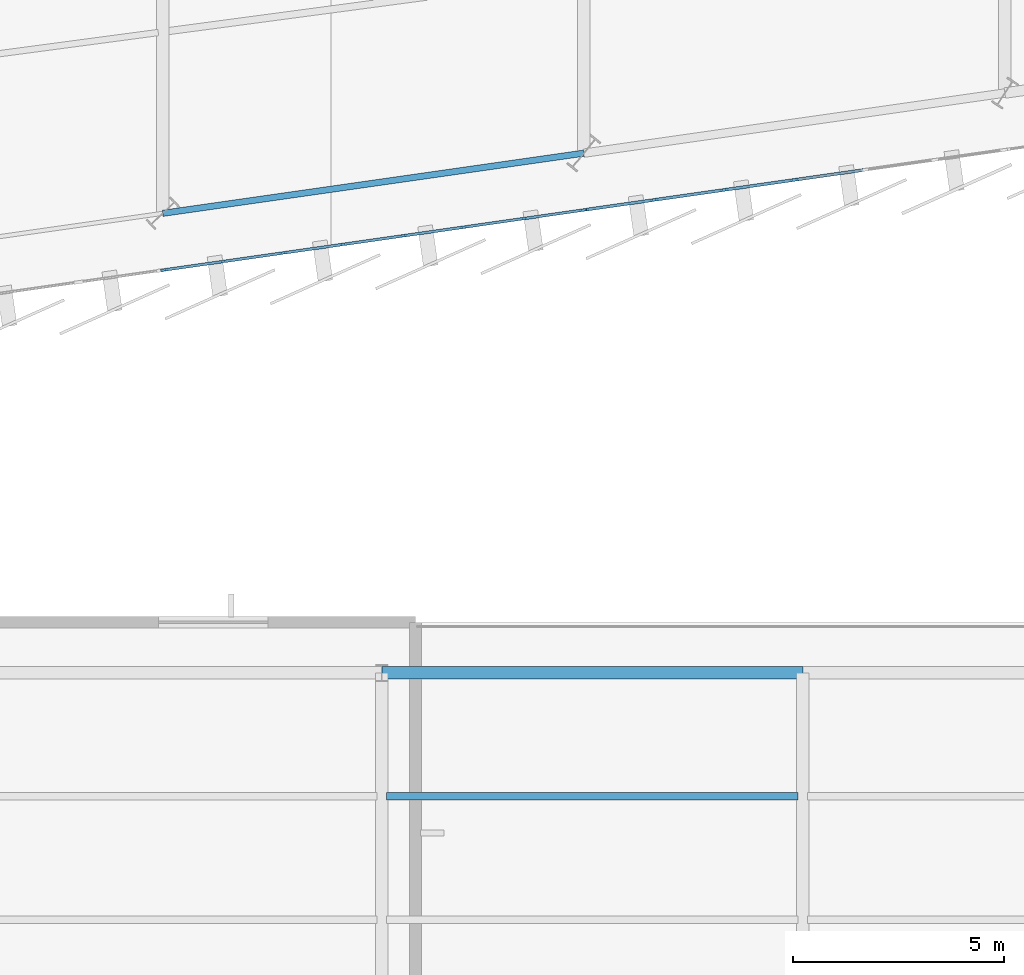
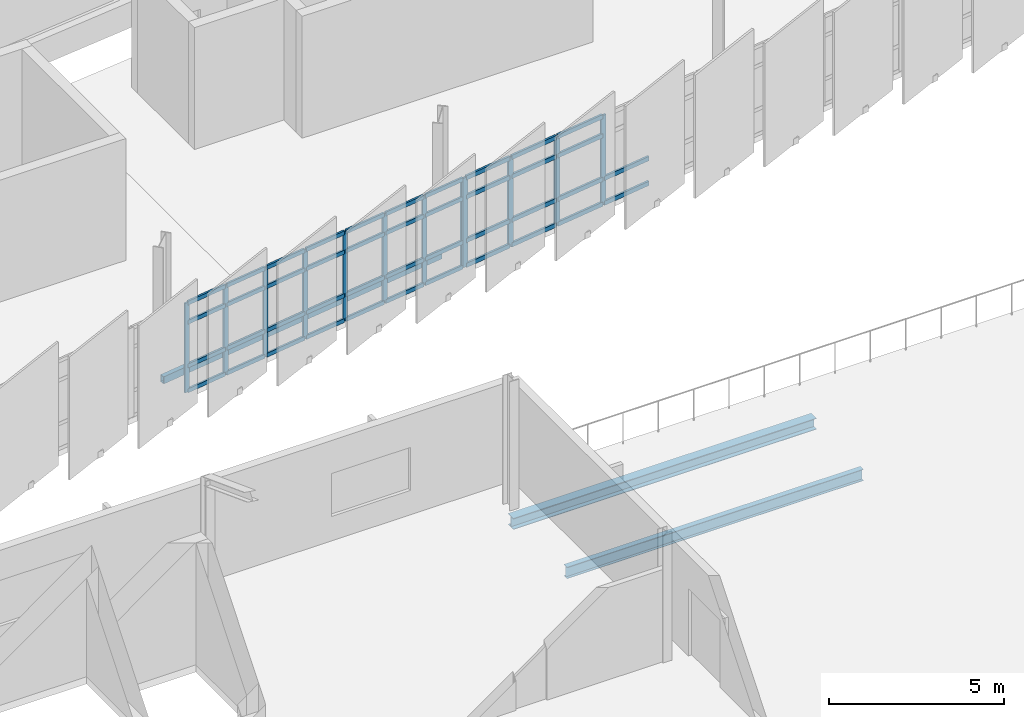
# One storey, part 24 of 87: 54 members, 3 beams, 2 elements without a shape of their own.
"""IFC4 building model written with IfcOpenShell, lengths in metres."""

from ifc_helpers import new_model, si_unit, direction, frame, origin, origin_2d, place, context, subcontext, project, spatial, rectangle, hollow_rectangle, i_section, extrude, material, layer, layer_set, material_profile, profile_set, type_object, element, aggregate, save


model = new_model("IFC4")

# Units and contexts
model_context = context("Model", 3, precision=1e-05, world=origin(), true_north=direction((0.0, 1.0)))
body_context = subcontext(model_context, "Body", "Model", "MODEL_VIEW")
ifc_project = project(units=[si_unit("LENGTHUNIT", "METRE"), si_unit("AREAUNIT", "SQUARE_METRE"), si_unit("VOLUMEUNIT", "CUBIC_METRE"), si_unit("PLANEANGLEUNIT", "RADIAN"), si_unit("MASSUNIT", "GRAM", prefix="KILO")], contexts=[model_context])

# Site, building, storey
site_placement = place(None, origin())
site = spatial("IfcSite", under=ifc_project, at=site_placement, CompositionType="ELEMENT")
building_placement = place(site_placement, origin())
building = spatial("IfcBuilding", under=site, at=building_placement, Name="Sohan Crest Arena", CompositionType="ELEMENT")
storey_placement = place(building_placement, frame((0.0, 0.0, 18.0)))
storey = spatial("IfcBuildingStorey", under=building, at=storey_placement, Name="L04", CompositionType="ELEMENT", Elevation=18.0)

# Curtain wall, members
ifc_material_1 = material(Name="Thermally broken anodised aluminium", Category="aluminium")
ifc_layer_1 = layer(ifc_material_1, 0.18994140625, Name="Thermally broken anodised aluminium")
ifc_layer_set_1 = layer_set([ifc_layer_1], Name="Thermally broken anodised aluminium")
curtain_wall_type_1 = type_object("IfcCurtainWallType", Name="ARC-CW05", PredefinedType="NOTDEFINED", material=ifc_layer_set_1)
curtain_wall_1_placement = place(storey_placement, origin())
curtain_wall_1 = element("IfcCurtainWall", 1, at=curtain_wall_1_placement, inside=storey, type_object=curtain_wall_type_1, Name="Unitised curtain wall CW-128", PredefinedType="NOTDEFINED")
ifc_material_profile_1 = material_profile(ifc_material_1, rectangle(XDim=0.06005859375, YDim=0.159912109375, at=origin_2d()), Name="ALU-MULL 60x160")
ifc_profile_set_1 = profile_set([ifc_material_profile_1], Name="Thermally broken anodised aluminium")
member_type_1 = type_object("IfcMemberType", Name="ARC-CW-ML01", PredefinedType="MULLION", material=ifc_profile_set_1)
member_1_placement = place(storey_placement, frame((138.02978515625, 34.3681640625, 0.0), z_axis=(0.0, 0.0, 1.0), x_axis=(-0.141462933734, 0.989943553128, 0.0)))
member_1 = element("IfcMember", 2, at=member_1_placement, type_object=member_type_1, Name="CW-128 mullion 1", PredefinedType="MULLION", context=body_context, shape_type="SweptSolid", body=[
    extrude(rectangle(XDim=0.06005859375, YDim=0.159912109375, at=origin_2d()), origin(), (0.0, 0.0, 1.0), 3.1201171875),
])
member_2_placement = place(storey_placement, frame((139.428466796875, 34.568115234375, 0.0), z_axis=(0.0, 0.0, 1.0), x_axis=(-0.141462933734, 0.989943553128, 0.0)))
member_2 = element("IfcMember", 3, at=member_2_placement, type_object=member_type_1, Name="CW-128 mullion 2", PredefinedType="MULLION", context=body_context, shape_type="SweptSolid", body=[
    extrude(rectangle(XDim=0.06005859375, YDim=0.159912109375, at=origin_2d()), origin(), (0.0, 0.0, 1.0), 3.1201171875),
])
member_3_placement = place(storey_placement, frame((140.857177734375, 34.772216796875, 0.0), z_axis=(0.0, 0.0, 1.0), x_axis=(-0.141462933734, 0.989943553128, 0.0)))
member_3 = element("IfcMember", 4, at=member_3_placement, type_object=member_type_1, Name="CW-128 mullion 3", PredefinedType="MULLION", context=body_context, shape_type="SweptSolid", body=[
    extrude(rectangle(XDim=0.06005859375, YDim=0.159912109375, at=origin_2d()), origin(), (0.0, 0.0, 1.0), 3.1201171875),
])
member_4_placement = place(storey_placement, frame((142.28564453125, 34.976318359375, 0.0), z_axis=(0.0, 0.0, 1.0), x_axis=(-0.141462933734, 0.989943553128, 0.0)))
member_4 = element("IfcMember", 5, at=member_4_placement, type_object=member_type_1, Name="CW-128 mullion 4", PredefinedType="MULLION", context=body_context, shape_type="SweptSolid", body=[
    extrude(rectangle(XDim=0.06005859375, YDim=0.159912109375, at=origin_2d()), origin(), (0.0, 0.0, 1.0), 3.1201171875),
])
member_5_placement = place(storey_placement, frame((143.71435546875, 35.1806640625, 0.0), z_axis=(0.0, 0.0, 1.0), x_axis=(-0.141462933734, 0.989943553128, 0.0)))
member_5 = element("IfcMember", 6, at=member_5_placement, type_object=member_type_1, Name="CW-128 mullion 5", PredefinedType="MULLION", context=body_context, shape_type="SweptSolid", body=[
    extrude(rectangle(XDim=0.06005859375, YDim=0.159912109375, at=origin_2d()), origin(), (0.0, 0.0, 1.0), 3.1201171875),
])
member_6_placement = place(storey_placement, frame((145.142822265625, 35.384765625, 0.0), z_axis=(0.0, 0.0, 1.0), x_axis=(-0.141462933734, 0.989943553128, 0.0)))
member_6 = element("IfcMember", 7, at=member_6_placement, type_object=member_type_1, Name="CW-128 mullion 6", PredefinedType="MULLION", context=body_context, shape_type="SweptSolid", body=[
    extrude(rectangle(XDim=0.06005859375, YDim=0.159912109375, at=origin_2d()), origin(), (0.0, 0.0, 1.0), 3.1201171875),
])
member_7_placement = place(storey_placement, frame((146.571533203125, 35.5888671875, 0.0), z_axis=(0.0, 0.0, 1.0), x_axis=(-0.141462933734, 0.989943553128, 0.0)))
member_7 = element("IfcMember", 8, at=member_7_placement, type_object=member_type_1, Name="CW-128 mullion 7", PredefinedType="MULLION", context=body_context, shape_type="SweptSolid", body=[
    extrude(rectangle(XDim=0.06005859375, YDim=0.159912109375, at=origin_2d()), origin(), (0.0, 0.0, 1.0), 3.1201171875),
])
member_8_placement = place(storey_placement, frame((147.97021484375, 35.788818359375, 0.0), z_axis=(0.0, 0.0, 1.0), x_axis=(-0.141462933734, 0.989943553128, 0.0)))
member_8 = element("IfcMember", 9, at=member_8_placement, type_object=member_type_1, Name="CW-128 mullion 8", PredefinedType="MULLION", context=body_context, shape_type="SweptSolid", body=[
    extrude(rectangle(XDim=0.06005859375, YDim=0.159912109375, at=origin_2d()), origin(), (0.0, 0.0, 1.0), 3.1201171875),
])

ifc_layer_2 = layer(ifc_material_1, 0.2099609375, Name="Thermally broken anodised aluminium")
ifc_layer_set_2 = layer_set([ifc_layer_2], Name="Thermally broken anodised aluminium")
curtain_wall_type_2 = type_object("IfcCurtainWallType", Name="ARC-CW06", PredefinedType="NOTDEFINED", material=ifc_layer_set_2)
curtain_wall_2_placement = place(storey_placement, origin())
curtain_wall_2 = element("IfcCurtainWall", 10, at=curtain_wall_2_placement, inside=storey, type_object=curtain_wall_type_2, Name="Unitised curtain wall CW-129", PredefinedType="NOTDEFINED")
ifc_material_profile_2 = material_profile(ifc_material_1, rectangle(XDim=0.06494140625, YDim=0.179931640625, at=origin_2d()), Name="ALU-MULL 65x180")
ifc_profile_set_2 = profile_set([ifc_material_profile_2], Name="Thermally broken anodised aluminium")
member_type_2 = type_object("IfcMemberType", Name="ARC-CW-ML02", PredefinedType="MULLION", material=ifc_profile_set_2)
member_9_placement = place(storey_placement, frame((148.0322265625, 35.797607421875, 0.0), z_axis=(0.0, 0.0, 1.0), x_axis=(-0.141365918403, 0.989957411768, 0.0)))
member_9 = element("IfcMember", 11, at=member_9_placement, type_object=member_type_2, Name="CW-129 mullion 1", PredefinedType="MULLION", context=body_context, shape_type="SweptSolid", body=[
    extrude(rectangle(XDim=0.06494140625, YDim=0.179931640625, at=origin_2d()), origin(), (0.0, 0.0, 1.0), 3.1201171875),
])
member_10_placement = place(storey_placement, frame((149.666748046875, 36.031005859375, 0.0), z_axis=(0.0, 0.0, 1.0), x_axis=(-0.141365918403, 0.989957411768, 0.0)))
member_10 = element("IfcMember", 12, at=member_10_placement, type_object=member_type_2, Name="CW-129 mullion 2", PredefinedType="MULLION", context=body_context, shape_type="SweptSolid", body=[
    extrude(rectangle(XDim=0.06494140625, YDim=0.179931640625, at=origin_2d()), origin(), (0.0, 0.0, 1.0), 3.1201171875),
])
member_11_placement = place(storey_placement, frame((151.333251953125, 36.26904296875, 0.0), z_axis=(0.0, 0.0, 1.0), x_axis=(-0.141365918403, 0.989957411768, 0.0)))
member_11 = element("IfcMember", 13, at=member_11_placement, type_object=member_type_2, Name="CW-129 mullion 3", PredefinedType="MULLION", context=body_context, shape_type="SweptSolid", body=[
    extrude(rectangle(XDim=0.06494140625, YDim=0.179931640625, at=origin_2d()), origin(), (0.0, 0.0, 1.0), 3.1201171875),
])
member_12_placement = place(storey_placement, frame((153.0, 36.507080078125, 0.0), z_axis=(0.0, 0.0, 1.0), x_axis=(-0.141365918403, 0.989957411768, 0.0)))
member_12 = element("IfcMember", 14, at=member_12_placement, type_object=member_type_2, Name="CW-129 mullion 4", PredefinedType="MULLION", context=body_context, shape_type="SweptSolid", body=[
    extrude(rectangle(XDim=0.06494140625, YDim=0.179931640625, at=origin_2d()), origin(), (0.0, 0.0, 1.0), 3.1201171875),
])

# Member
ifc_material_profile_3 = material_profile(ifc_material_1, rectangle(XDim=0.06494140625, YDim=0.139892578125, at=origin_2d()), Name="ALU-TRAN 65x140")
ifc_profile_set_3 = profile_set([ifc_material_profile_3], Name="Thermally broken anodised aluminium")
member_type_3 = type_object("IfcMemberType", Name="ARC-CW-TR02", PredefinedType="USERDEFINED", material=ifc_profile_set_3)
member_13_placement = place(storey_placement, frame((138.059326171875, 34.37255859375, 0.032470703125), z_axis=(0.989945885007, 0.141446614515, 0.0), x_axis=(-0.141446614515, 0.989945885007, 0.0)))
member_13 = element("IfcMember", 15, at=member_13_placement, type_object=member_type_3, Name="CW-128 transom 1.1", ObjectType="TRANSOM", PredefinedType="USERDEFINED", context=body_context, shape_type="SweptSolid", body=[
    extrude(rectangle(XDim=0.06494140625, YDim=0.139892578125, at=origin_2d()), origin(), (0.0, 0.0, 1.0), 1.353271484375),
])

member_14_placement = place(storey_placement, frame((138.059326171875, 34.37255859375, 0.89990234375), z_axis=(0.989945885007, 0.141446614515, 0.0), x_axis=(-0.141446614515, 0.989945885007, 0.0)))
member_14 = element("IfcMember", 16, at=member_14_placement, type_object=member_type_3, Name="CW-128 transom 1.2", ObjectType="TRANSOM", PredefinedType="USERDEFINED", context=body_context, shape_type="SweptSolid", body=[
    extrude(rectangle(XDim=0.06494140625, YDim=0.139892578125, at=origin_2d()), origin(), (0.0, 0.0, 1.0), 1.353271484375),
])

member_15_placement = place(storey_placement, frame((138.059326171875, 34.37255859375, 2.419921875), z_axis=(0.989945885007, 0.141446614515, 0.0), x_axis=(-0.141446614515, 0.989945885007, 0.0)))
member_15 = element("IfcMember", 17, at=member_15_placement, type_object=member_type_3, Name="CW-128 transom 1.3", ObjectType="TRANSOM", PredefinedType="USERDEFINED", context=body_context, shape_type="SweptSolid", body=[
    extrude(rectangle(XDim=0.06494140625, YDim=0.139892578125, at=origin_2d()), origin(), (0.0, 0.0, 1.0), 1.353271484375),
])

member_16_placement = place(storey_placement, frame((138.059326171875, 34.37255859375, 3.08740234375), z_axis=(0.989945885007, 0.141446614515, 0.0), x_axis=(-0.141446614515, 0.989945885007, 0.0)))
member_16 = element("IfcMember", 18, at=member_16_placement, type_object=member_type_3, Name="CW-128 transom 1.4", ObjectType="TRANSOM", PredefinedType="USERDEFINED", context=body_context, shape_type="SweptSolid", body=[
    extrude(rectangle(XDim=0.06494140625, YDim=0.139892578125, at=origin_2d()), origin(), (0.0, 0.0, 1.0), 1.353271484375),
])

member_17_placement = place(storey_placement, frame((139.458251953125, 34.572265625, 0.032470703125), z_axis=(0.989928300068, 0.141569632071, 0.0), x_axis=(-0.141569632071, 0.989928300068, 0.0)))
member_17 = element("IfcMember", 19, at=member_17_placement, type_object=member_type_3, Name="CW-128 transom 2.1", ObjectType="TRANSOM", PredefinedType="USERDEFINED", context=body_context, shape_type="SweptSolid", body=[
    extrude(rectangle(XDim=0.06494140625, YDim=0.139892578125, at=origin_2d()), origin(), (0.0, 0.0, 1.0), 1.383056640625),
])

member_18_placement = place(storey_placement, frame((139.458251953125, 34.572265625, 0.89990234375), z_axis=(0.989928300068, 0.141569632071, 0.0), x_axis=(-0.141569632071, 0.989928300068, 0.0)))
member_18 = element("IfcMember", 20, at=member_18_placement, type_object=member_type_3, Name="CW-128 transom 2.2", ObjectType="TRANSOM", PredefinedType="USERDEFINED", context=body_context, shape_type="SweptSolid", body=[
    extrude(rectangle(XDim=0.06494140625, YDim=0.139892578125, at=origin_2d()), origin(), (0.0, 0.0, 1.0), 1.383056640625),
])

member_19_placement = place(storey_placement, frame((139.458251953125, 34.572265625, 2.419921875), z_axis=(0.989928300068, 0.141569632071, 0.0), x_axis=(-0.141569632071, 0.989928300068, 0.0)))
member_19 = element("IfcMember", 21, at=member_19_placement, type_object=member_type_3, Name="CW-128 transom 2.3", ObjectType="TRANSOM", PredefinedType="USERDEFINED", context=body_context, shape_type="SweptSolid", body=[
    extrude(rectangle(XDim=0.06494140625, YDim=0.139892578125, at=origin_2d()), origin(), (0.0, 0.0, 1.0), 1.383056640625),
])

member_20_placement = place(storey_placement, frame((139.458251953125, 34.572265625, 3.08740234375), z_axis=(0.989928300068, 0.141569632071, 0.0), x_axis=(-0.141569632071, 0.989928300068, 0.0)))
member_20 = element("IfcMember", 22, at=member_20_placement, type_object=member_type_3, Name="CW-128 transom 2.4", ObjectType="TRANSOM", PredefinedType="USERDEFINED", context=body_context, shape_type="SweptSolid", body=[
    extrude(rectangle(XDim=0.06494140625, YDim=0.139892578125, at=origin_2d()), origin(), (0.0, 0.0, 1.0), 1.383056640625),
])

member_21_placement = place(storey_placement, frame((140.886962890625, 34.776611328125, 0.032470703125), z_axis=(0.989953023856, 0.141396642673, 0.0), x_axis=(-0.141396642673, 0.989953023856, 0.0)))
member_21 = element("IfcMember", 23, at=member_21_placement, type_object=member_type_3, Name="CW-128 transom 3.1", ObjectType="TRANSOM", PredefinedType="USERDEFINED", context=body_context, shape_type="SweptSolid", body=[
    extrude(rectangle(XDim=0.06494140625, YDim=0.139892578125, at=origin_2d()), origin(), (0.0, 0.0, 1.0), 1.383056640625),
])

member_22_placement = place(storey_placement, frame((140.886962890625, 34.776611328125, 0.89990234375), z_axis=(0.989953023856, 0.141396642673, 0.0), x_axis=(-0.141396642673, 0.989953023856, 0.0)))
member_22 = element("IfcMember", 24, at=member_22_placement, type_object=member_type_3, Name="CW-128 transom 3.2", ObjectType="TRANSOM", PredefinedType="USERDEFINED", context=body_context, shape_type="SweptSolid", body=[
    extrude(rectangle(XDim=0.06494140625, YDim=0.139892578125, at=origin_2d()), origin(), (0.0, 0.0, 1.0), 1.383056640625),
])

member_23_placement = place(storey_placement, frame((140.886962890625, 34.776611328125, 2.419921875), z_axis=(0.989953023856, 0.141396642673, 0.0), x_axis=(-0.141396642673, 0.989953023856, 0.0)))
member_23 = element("IfcMember", 25, at=member_23_placement, type_object=member_type_3, Name="CW-128 transom 3.3", ObjectType="TRANSOM", PredefinedType="USERDEFINED", context=body_context, shape_type="SweptSolid", body=[
    extrude(rectangle(XDim=0.06494140625, YDim=0.139892578125, at=origin_2d()), origin(), (0.0, 0.0, 1.0), 1.383056640625),
])

member_24_placement = place(storey_placement, frame((140.886962890625, 34.776611328125, 3.08740234375), z_axis=(0.989953023856, 0.141396642673, 0.0), x_axis=(-0.141396642673, 0.989953023856, 0.0)))
member_24 = element("IfcMember", 26, at=member_24_placement, type_object=member_type_3, Name="CW-128 transom 3.4", ObjectType="TRANSOM", PredefinedType="USERDEFINED", context=body_context, shape_type="SweptSolid", body=[
    extrude(rectangle(XDim=0.06494140625, YDim=0.139892578125, at=origin_2d()), origin(), (0.0, 0.0, 1.0), 1.383056640625),
])

member_25_placement = place(storey_placement, frame((142.3154296875, 34.980712890625, 0.032470703125), z_axis=(0.989953023856, 0.141396642673, 0.0), x_axis=(-0.141396642673, 0.989953023856, 0.0)))
member_25 = element("IfcMember", 27, at=member_25_placement, type_object=member_type_3, Name="CW-128 transom 4.1", ObjectType="TRANSOM", PredefinedType="USERDEFINED", context=body_context, shape_type="SweptSolid", body=[
    extrude(rectangle(XDim=0.06494140625, YDim=0.139892578125, at=origin_2d()), origin(), (0.0, 0.0, 1.0), 1.383056640625),
])

member_26_placement = place(storey_placement, frame((142.3154296875, 34.980712890625, 0.89990234375), z_axis=(0.989953023856, 0.141396642673, 0.0), x_axis=(-0.141396642673, 0.989953023856, 0.0)))
member_26 = element("IfcMember", 28, at=member_26_placement, type_object=member_type_3, Name="CW-128 transom 4.2", ObjectType="TRANSOM", PredefinedType="USERDEFINED", context=body_context, shape_type="SweptSolid", body=[
    extrude(rectangle(XDim=0.06494140625, YDim=0.139892578125, at=origin_2d()), origin(), (0.0, 0.0, 1.0), 1.383056640625),
])

member_27_placement = place(storey_placement, frame((142.3154296875, 34.980712890625, 2.419921875), z_axis=(0.989953023856, 0.141396642673, 0.0), x_axis=(-0.141396642673, 0.989953023856, 0.0)))
member_27 = element("IfcMember", 29, at=member_27_placement, type_object=member_type_3, Name="CW-128 transom 4.3", ObjectType="TRANSOM", PredefinedType="USERDEFINED", context=body_context, shape_type="SweptSolid", body=[
    extrude(rectangle(XDim=0.06494140625, YDim=0.139892578125, at=origin_2d()), origin(), (0.0, 0.0, 1.0), 1.383056640625),
])

member_28_placement = place(storey_placement, frame((142.3154296875, 34.980712890625, 3.08740234375), z_axis=(0.989953023856, 0.141396642673, 0.0), x_axis=(-0.141396642673, 0.989953023856, 0.0)))
member_28 = element("IfcMember", 30, at=member_28_placement, type_object=member_type_3, Name="CW-128 transom 4.4", ObjectType="TRANSOM", PredefinedType="USERDEFINED", context=body_context, shape_type="SweptSolid", body=[
    extrude(rectangle(XDim=0.06494140625, YDim=0.139892578125, at=origin_2d()), origin(), (0.0, 0.0, 1.0), 1.383056640625),
])

member_29_placement = place(storey_placement, frame((143.743896484375, 35.184814453125, 0.032470703125), z_axis=(0.989953023856, 0.141396642673, 0.0), x_axis=(-0.141396642673, 0.989953023856, 0.0)))
member_29 = element("IfcMember", 31, at=member_29_placement, type_object=member_type_3, Name="CW-128 transom 5.1", ObjectType="TRANSOM", PredefinedType="USERDEFINED", context=body_context, shape_type="SweptSolid", body=[
    extrude(rectangle(XDim=0.06494140625, YDim=0.139892578125, at=origin_2d()), origin(), (0.0, 0.0, 1.0), 1.383056640625),
])

member_30_placement = place(storey_placement, frame((143.743896484375, 35.184814453125, 0.89990234375), z_axis=(0.989953023856, 0.141396642673, 0.0), x_axis=(-0.141396642673, 0.989953023856, 0.0)))
member_30 = element("IfcMember", 32, at=member_30_placement, type_object=member_type_3, Name="CW-128 transom 5.2", ObjectType="TRANSOM", PredefinedType="USERDEFINED", context=body_context, shape_type="SweptSolid", body=[
    extrude(rectangle(XDim=0.06494140625, YDim=0.139892578125, at=origin_2d()), origin(), (0.0, 0.0, 1.0), 1.383056640625),
])

member_31_placement = place(storey_placement, frame((143.743896484375, 35.184814453125, 2.419921875), z_axis=(0.989953023856, 0.141396642673, 0.0), x_axis=(-0.141396642673, 0.989953023856, 0.0)))
member_31 = element("IfcMember", 33, at=member_31_placement, type_object=member_type_3, Name="CW-128 transom 5.3", ObjectType="TRANSOM", PredefinedType="USERDEFINED", context=body_context, shape_type="SweptSolid", body=[
    extrude(rectangle(XDim=0.06494140625, YDim=0.139892578125, at=origin_2d()), origin(), (0.0, 0.0, 1.0), 1.383056640625),
])

member_32_placement = place(storey_placement, frame((143.743896484375, 35.184814453125, 3.08740234375), z_axis=(0.989953023856, 0.141396642673, 0.0), x_axis=(-0.141396642673, 0.989953023856, 0.0)))
member_32 = element("IfcMember", 34, at=member_32_placement, type_object=member_type_3, Name="CW-128 transom 5.4", ObjectType="TRANSOM", PredefinedType="USERDEFINED", context=body_context, shape_type="SweptSolid", body=[
    extrude(rectangle(XDim=0.06494140625, YDim=0.139892578125, at=origin_2d()), origin(), (0.0, 0.0, 1.0), 1.383056640625),
])

member_33_placement = place(storey_placement, frame((145.172607421875, 35.388916015625, 0.032470703125), z_axis=(0.989928300068, 0.141569632071, 0.0), x_axis=(-0.141569632071, 0.989928300068, 0.0)))
member_33 = element("IfcMember", 35, at=member_33_placement, type_object=member_type_3, Name="CW-128 transom 6.1", ObjectType="TRANSOM", PredefinedType="USERDEFINED", context=body_context, shape_type="SweptSolid", body=[
    extrude(rectangle(XDim=0.06494140625, YDim=0.139892578125, at=origin_2d()), origin(), (0.0, 0.0, 1.0), 1.383056640625),
])

member_34_placement = place(storey_placement, frame((145.172607421875, 35.388916015625, 0.89990234375), z_axis=(0.989928300068, 0.141569632071, 0.0), x_axis=(-0.141569632071, 0.989928300068, 0.0)))
member_34 = element("IfcMember", 36, at=member_34_placement, type_object=member_type_3, Name="CW-128 transom 6.2", ObjectType="TRANSOM", PredefinedType="USERDEFINED", context=body_context, shape_type="SweptSolid", body=[
    extrude(rectangle(XDim=0.06494140625, YDim=0.139892578125, at=origin_2d()), origin(), (0.0, 0.0, 1.0), 1.383056640625),
])

member_35_placement = place(storey_placement, frame((145.172607421875, 35.388916015625, 2.419921875), z_axis=(0.989928300068, 0.141569632071, 0.0), x_axis=(-0.141569632071, 0.989928300068, 0.0)))
member_35 = element("IfcMember", 37, at=member_35_placement, type_object=member_type_3, Name="CW-128 transom 6.3", ObjectType="TRANSOM", PredefinedType="USERDEFINED", context=body_context, shape_type="SweptSolid", body=[
    extrude(rectangle(XDim=0.06494140625, YDim=0.139892578125, at=origin_2d()), origin(), (0.0, 0.0, 1.0), 1.383056640625),
])

member_36_placement = place(storey_placement, frame((145.172607421875, 35.388916015625, 3.08740234375), z_axis=(0.989928300068, 0.141569632071, 0.0), x_axis=(-0.141569632071, 0.989928300068, 0.0)))
member_36 = element("IfcMember", 38, at=member_36_placement, type_object=member_type_3, Name="CW-128 transom 6.4", ObjectType="TRANSOM", PredefinedType="USERDEFINED", context=body_context, shape_type="SweptSolid", body=[
    extrude(rectangle(XDim=0.06494140625, YDim=0.139892578125, at=origin_2d()), origin(), (0.0, 0.0, 1.0), 1.383056640625),
])

member_37_placement = place(storey_placement, frame((146.60107421875, 35.593017578125, 0.032470703125), z_axis=(0.989945885007, 0.141446614515, 0.0), x_axis=(-0.141446614515, 0.989945885007, 0.0)))
member_37 = element("IfcMember", 39, at=member_37_placement, type_object=member_type_3, Name="CW-128 transom 7.1", ObjectType="TRANSOM", PredefinedType="USERDEFINED", context=body_context, shape_type="SweptSolid", body=[
    extrude(rectangle(XDim=0.06494140625, YDim=0.139892578125, at=origin_2d()), origin(), (0.0, 0.0, 1.0), 1.353271484375),
])

member_38_placement = place(storey_placement, frame((146.60107421875, 35.593017578125, 0.89990234375), z_axis=(0.989945885007, 0.141446614515, 0.0), x_axis=(-0.141446614515, 0.989945885007, 0.0)))
member_38 = element("IfcMember", 40, at=member_38_placement, type_object=member_type_3, Name="CW-128 transom 7.2", ObjectType="TRANSOM", PredefinedType="USERDEFINED", context=body_context, shape_type="SweptSolid", body=[
    extrude(rectangle(XDim=0.06494140625, YDim=0.139892578125, at=origin_2d()), origin(), (0.0, 0.0, 1.0), 1.353271484375),
])

member_39_placement = place(storey_placement, frame((146.60107421875, 35.593017578125, 2.419921875), z_axis=(0.989945885007, 0.141446614515, 0.0), x_axis=(-0.141446614515, 0.989945885007, 0.0)))
member_39 = element("IfcMember", 41, at=member_39_placement, type_object=member_type_3, Name="CW-128 transom 7.3", ObjectType="TRANSOM", PredefinedType="USERDEFINED", context=body_context, shape_type="SweptSolid", body=[
    extrude(rectangle(XDim=0.06494140625, YDim=0.139892578125, at=origin_2d()), origin(), (0.0, 0.0, 1.0), 1.353271484375),
])

member_40_placement = place(storey_placement, frame((146.60107421875, 35.593017578125, 3.08740234375), z_axis=(0.989945885007, 0.141446614515, 0.0), x_axis=(-0.141446614515, 0.989945885007, 0.0)))
member_40 = element("IfcMember", 42, at=member_40_placement, type_object=member_type_3, Name="CW-128 transom 7.4", ObjectType="TRANSOM", PredefinedType="USERDEFINED", context=body_context, shape_type="SweptSolid", body=[
    extrude(rectangle(XDim=0.06494140625, YDim=0.139892578125, at=origin_2d()), origin(), (0.0, 0.0, 1.0), 1.353271484375),
])

aggregate(curtain_wall_1, [member_1, member_2, member_3, member_4, member_5, member_6, member_7, member_8, member_13, member_14, member_15, member_16, member_17, member_18, member_19, member_20, member_21, member_22, member_23, member_24, member_25, member_26, member_27, member_28, member_29, member_30, member_31, member_32, member_33, member_34, member_35, member_36, member_37, member_38, member_39, member_40])

ifc_material_profile_4 = material_profile(ifc_material_1, rectangle(XDim=0.070068359375, YDim=0.14990234375, at=origin_2d()), Name="ALU-TRAN 70x150")
ifc_profile_set_4 = profile_set([ifc_material_profile_4], Name="Thermally broken anodised aluminium")
member_type_4 = type_object("IfcMemberType", Name="ARC-CW-TR03", PredefinedType="USERDEFINED", material=ifc_profile_set_4)
member_41_placement = place(storey_placement, frame((148.064453125, 35.80224609375, 0.034912109375), z_axis=(0.989964881435, 0.141313599931, 0.0), x_axis=(-0.141313599931, 0.989964881435, 0.0)))
member_41 = element("IfcMember", 43, at=member_41_placement, type_object=member_type_4, Name="CW-129 transom 1.1", ObjectType="TRANSOM", PredefinedType="USERDEFINED", context=body_context, shape_type="SweptSolid", body=[
    extrude(rectangle(XDim=0.070068359375, YDim=0.14990234375, at=origin_2d()), origin(), (0.0, 0.0, 1.0), 1.5859375),
])

member_42_placement = place(storey_placement, frame((148.064453125, 35.80224609375, 0.89990234375), z_axis=(0.989964881435, 0.141313599931, 0.0), x_axis=(-0.141313599931, 0.989964881435, 0.0)))
member_42 = element("IfcMember", 44, at=member_42_placement, type_object=member_type_4, Name="CW-129 transom 1.2", ObjectType="TRANSOM", PredefinedType="USERDEFINED", context=body_context, shape_type="SweptSolid", body=[
    extrude(rectangle(XDim=0.070068359375, YDim=0.14990234375, at=origin_2d()), origin(), (0.0, 0.0, 1.0), 1.5859375),
])

member_43_placement = place(storey_placement, frame((148.064453125, 35.80224609375, 2.419921875), z_axis=(0.989964881435, 0.141313599931, 0.0), x_axis=(-0.141313599931, 0.989964881435, 0.0)))
member_43 = element("IfcMember", 45, at=member_43_placement, type_object=member_type_4, Name="CW-129 transom 1.3", ObjectType="TRANSOM", PredefinedType="USERDEFINED", context=body_context, shape_type="SweptSolid", body=[
    extrude(rectangle(XDim=0.070068359375, YDim=0.14990234375, at=origin_2d()), origin(), (0.0, 0.0, 1.0), 1.5859375),
])

member_44_placement = place(storey_placement, frame((148.064453125, 35.80224609375, 3.0849609375), z_axis=(0.989964881435, 0.141313599931, 0.0), x_axis=(-0.141313599931, 0.989964881435, 0.0)))
member_44 = element("IfcMember", 46, at=member_44_placement, type_object=member_type_4, Name="CW-129 transom 1.4", ObjectType="TRANSOM", PredefinedType="USERDEFINED", context=body_context, shape_type="SweptSolid", body=[
    extrude(rectangle(XDim=0.070068359375, YDim=0.14990234375, at=origin_2d()), origin(), (0.0, 0.0, 1.0), 1.5859375),
])

member_45_placement = place(storey_placement, frame((149.69873046875, 36.03564453125, 0.034912109375), z_axis=(0.989964569759, 0.141315783343, 0.0), x_axis=(-0.141315783343, 0.989964569759, 0.0)))
member_45 = element("IfcMember", 47, at=member_45_placement, type_object=member_type_4, Name="CW-129 transom 2.1", ObjectType="TRANSOM", PredefinedType="USERDEFINED", context=body_context, shape_type="SweptSolid", body=[
    extrude(rectangle(XDim=0.070068359375, YDim=0.14990234375, at=origin_2d()), origin(), (0.0, 0.0, 1.0), 1.618896484375),
])

member_46_placement = place(storey_placement, frame((149.69873046875, 36.03564453125, 0.89990234375), z_axis=(0.989964569759, 0.141315783343, 0.0), x_axis=(-0.141315783343, 0.989964569759, 0.0)))
member_46 = element("IfcMember", 48, at=member_46_placement, type_object=member_type_4, Name="CW-129 transom 2.2", ObjectType="TRANSOM", PredefinedType="USERDEFINED", context=body_context, shape_type="SweptSolid", body=[
    extrude(rectangle(XDim=0.070068359375, YDim=0.14990234375, at=origin_2d()), origin(), (0.0, 0.0, 1.0), 1.618896484375),
])

member_47_placement = place(storey_placement, frame((149.69873046875, 36.03564453125, 2.419921875), z_axis=(0.989964569759, 0.141315783343, 0.0), x_axis=(-0.141315783343, 0.989964569759, 0.0)))
member_47 = element("IfcMember", 49, at=member_47_placement, type_object=member_type_4, Name="CW-129 transom 2.3", ObjectType="TRANSOM", PredefinedType="USERDEFINED", context=body_context, shape_type="SweptSolid", body=[
    extrude(rectangle(XDim=0.070068359375, YDim=0.14990234375, at=origin_2d()), origin(), (0.0, 0.0, 1.0), 1.618896484375),
])

member_48_placement = place(storey_placement, frame((149.69873046875, 36.03564453125, 3.0849609375), z_axis=(0.989964569759, 0.141315783343, 0.0), x_axis=(-0.141315783343, 0.989964569759, 0.0)))
member_48 = element("IfcMember", 50, at=member_48_placement, type_object=member_type_4, Name="CW-129 transom 2.4", ObjectType="TRANSOM", PredefinedType="USERDEFINED", context=body_context, shape_type="SweptSolid", body=[
    extrude(rectangle(XDim=0.070068359375, YDim=0.14990234375, at=origin_2d()), origin(), (0.0, 0.0, 1.0), 1.618896484375),
])

member_49_placement = place(storey_placement, frame((151.365478515625, 36.273681640625, 0.034912109375), z_axis=(0.989961557241, 0.141336885439, 0.0), x_axis=(-0.141336885439, 0.989961557241, 0.0)))
member_49 = element("IfcMember", 51, at=member_49_placement, type_object=member_type_4, Name="CW-129 transom 3.1", ObjectType="TRANSOM", PredefinedType="USERDEFINED", context=body_context, shape_type="SweptSolid", body=[
    extrude(rectangle(XDim=0.070068359375, YDim=0.14990234375, at=origin_2d()), origin(), (0.0, 0.0, 1.0), 1.61865234375),
])

member_50_placement = place(storey_placement, frame((151.365478515625, 36.273681640625, 0.89990234375), z_axis=(0.989961557241, 0.141336885439, 0.0), x_axis=(-0.141336885439, 0.989961557241, 0.0)))
member_50 = element("IfcMember", 52, at=member_50_placement, type_object=member_type_4, Name="CW-129 transom 3.2", ObjectType="TRANSOM", PredefinedType="USERDEFINED", context=body_context, shape_type="SweptSolid", body=[
    extrude(rectangle(XDim=0.070068359375, YDim=0.14990234375, at=origin_2d()), origin(), (0.0, 0.0, 1.0), 1.61865234375),
])

member_51_placement = place(storey_placement, frame((151.365478515625, 36.273681640625, 2.419921875), z_axis=(0.989961557241, 0.141336885439, 0.0), x_axis=(-0.141336885439, 0.989961557241, 0.0)))
member_51 = element("IfcMember", 53, at=member_51_placement, type_object=member_type_4, Name="CW-129 transom 3.3", ObjectType="TRANSOM", PredefinedType="USERDEFINED", context=body_context, shape_type="SweptSolid", body=[
    extrude(rectangle(XDim=0.070068359375, YDim=0.14990234375, at=origin_2d()), origin(), (0.0, 0.0, 1.0), 1.61865234375),
])

member_52_placement = place(storey_placement, frame((151.365478515625, 36.273681640625, 3.0849609375), z_axis=(0.989961557241, 0.141336885439, 0.0), x_axis=(-0.141336885439, 0.989961557241, 0.0)))
member_52 = element("IfcMember", 54, at=member_52_placement, type_object=member_type_4, Name="CW-129 transom 3.4", ObjectType="TRANSOM", PredefinedType="USERDEFINED", context=body_context, shape_type="SweptSolid", body=[
    extrude(rectangle(XDim=0.070068359375, YDim=0.14990234375, at=origin_2d()), origin(), (0.0, 0.0, 1.0), 1.61865234375),
])

member_53_placement = place(storey_placement, frame((153.0322265625, 36.511474609375, 0.034912109375), z_axis=(0.98994044144, 0.141484707309, 0.0), x_axis=(-0.141484707309, 0.98994044144, 0.0)))
member_53 = element("IfcMember", 55, at=member_53_placement, type_object=member_type_4, Name="CW-129 transom 4.1", ObjectType="TRANSOM", PredefinedType="USERDEFINED", context=body_context, shape_type="SweptSolid", body=[
    extrude(rectangle(XDim=0.070068359375, YDim=0.14990234375, at=origin_2d()), origin(), (0.0, 0.0, 1.0), 1.61865234375),
])

member_54_placement = place(storey_placement, frame((153.0322265625, 36.511474609375, 0.89990234375), z_axis=(0.98994044144, 0.141484707309, 0.0), x_axis=(-0.141484707309, 0.98994044144, 0.0)))
member_54 = element("IfcMember", 56, at=member_54_placement, type_object=member_type_4, Name="CW-129 transom 4.2", ObjectType="TRANSOM", PredefinedType="USERDEFINED", context=body_context, shape_type="SweptSolid", body=[
    extrude(rectangle(XDim=0.070068359375, YDim=0.14990234375, at=origin_2d()), origin(), (0.0, 0.0, 1.0), 1.61865234375),
])

aggregate(curtain_wall_2, [member_9, member_10, member_11, member_12, member_41, member_42, member_43, member_44, member_45, member_46, member_47, member_48, member_49, member_50, member_51, member_52, member_53, member_54])

# Beams
ifc_material_2 = material(Name="Steel S355", Category="steel")
ifc_material_profile_5 = material_profile(ifc_material_2, i_section(OverallWidth=0.179931640625, OverallDepth=0.39990234375, WebThickness=0.008544921875, FlangeThickness=0.013427734375, at=origin_2d()), Name="IPE 400")
ifc_profile_set_5 = profile_set([ifc_material_profile_5], Name="Steel S355")
beam_type_1 = type_object("IfcBeamType", Name="STR-BM-B03", PredefinedType="JOIST", material=ifc_profile_set_5)
beam_1_placement = place(storey_placement, frame((143.31005859375, 21.866943359375, -0.544921875), z_axis=(1.0, 0.0, 0.0), x_axis=(0.0, 1.0, 0.0)))
element("IfcBeam", 57, at=beam_1_placement, inside=storey, type_object=beam_type_1, Name="Structural beam J-L04-2834", PredefinedType="JOIST", context=body_context, shape_type="SweptSolid", body=[
    extrude(i_section(OverallWidth=0.179931640625, OverallDepth=0.39990234375, WebThickness=0.008544921875, FlangeThickness=0.013427734375, at=origin_2d()), origin(), (0.0, 0.0, 1.0), 9.780029296875),
])
ifc_material_profile_6 = material_profile(ifc_material_2, i_section(OverallWidth=0.300048828125, OverallDepth=0.389892578125, WebThickness=0.010986328125, FlangeThickness=0.01904296875, at=origin_2d()), Name="HEA 400")
ifc_profile_set_6 = profile_set([ifc_material_profile_6], Name="Steel S355")
beam_type_2 = type_object("IfcBeamType", Name="STR-BM-B09", PredefinedType="BEAM", material=ifc_profile_set_6)
beam_2_placement = place(storey_placement, frame((143.199951171875, 24.800048828125, -0.5400390625), z_axis=(1.0, 0.0, 0.0), x_axis=(0.0, 1.0, 0.0)))
element("IfcBeam", 58, at=beam_2_placement, inside=storey, type_object=beam_type_2, Name="Structural beam G-L04-2845", PredefinedType="BEAM", context=body_context, shape_type="SweptSolid", body=[
    extrude(i_section(OverallWidth=0.300048828125, OverallDepth=0.389892578125, WebThickness=0.010986328125, FlangeThickness=0.01904296875, at=origin_2d()), origin(), (0.0, 0.0, 1.0), 10.0),
])
ifc_material_profile_7 = material_profile(ifc_material_2, hollow_rectangle(XDim=0.14990234375, YDim=0.25, WallThickness=0.010009765625, at=origin_2d()), Name="RHS 250x150x10")
ifc_profile_set_7 = profile_set([ifc_material_profile_7], Name="Steel S355")
beam_type_3 = type_object("IfcBeamType", Name="STR-BM-SP02", PredefinedType="SPANDREL", material=ifc_profile_set_7)
beam_3_placement = place(storey_placement, frame((138.0, 35.714111328125, -0.375), z_axis=(0.989944175879, 0.141458575718, 0.0), x_axis=(-0.141458575718, 0.989944175879, 0.0)))
element("IfcBeam", 59, at=beam_3_placement, inside=storey, type_object=beam_type_3, Name="Structural beam SP-L04-1622", PredefinedType="SPANDREL", context=body_context, shape_type="SweptSolid", body=[
    extrude(hollow_rectangle(XDim=0.14990234375, YDim=0.25, WallThickness=0.010009765625, at=origin_2d()), origin(), (0.0, 0.0, 1.0), 10.1015625),
])

save(model, "model.ifc")
